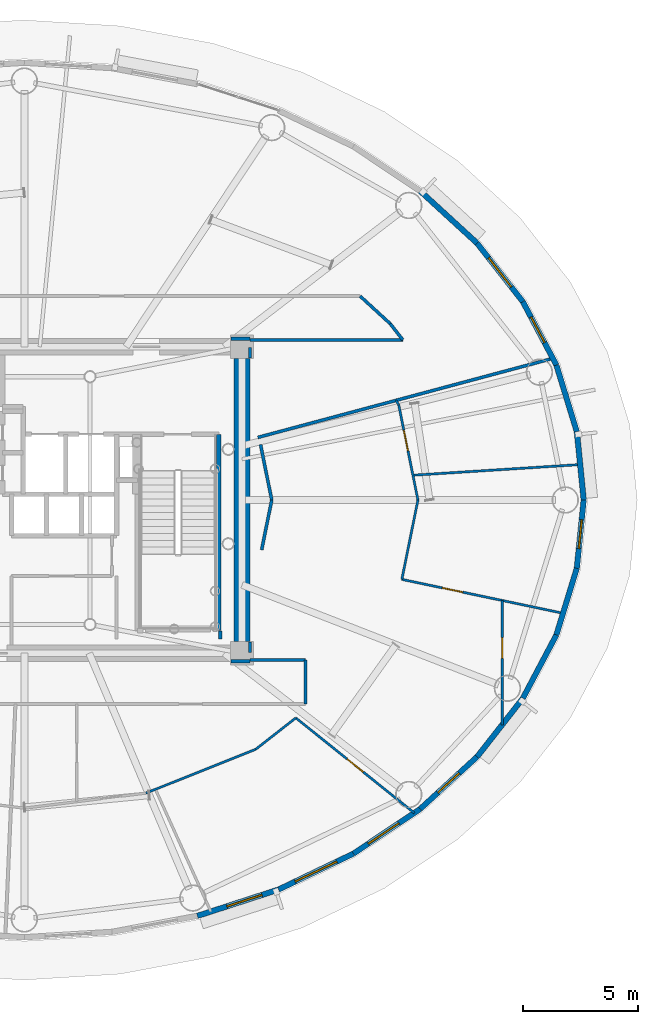
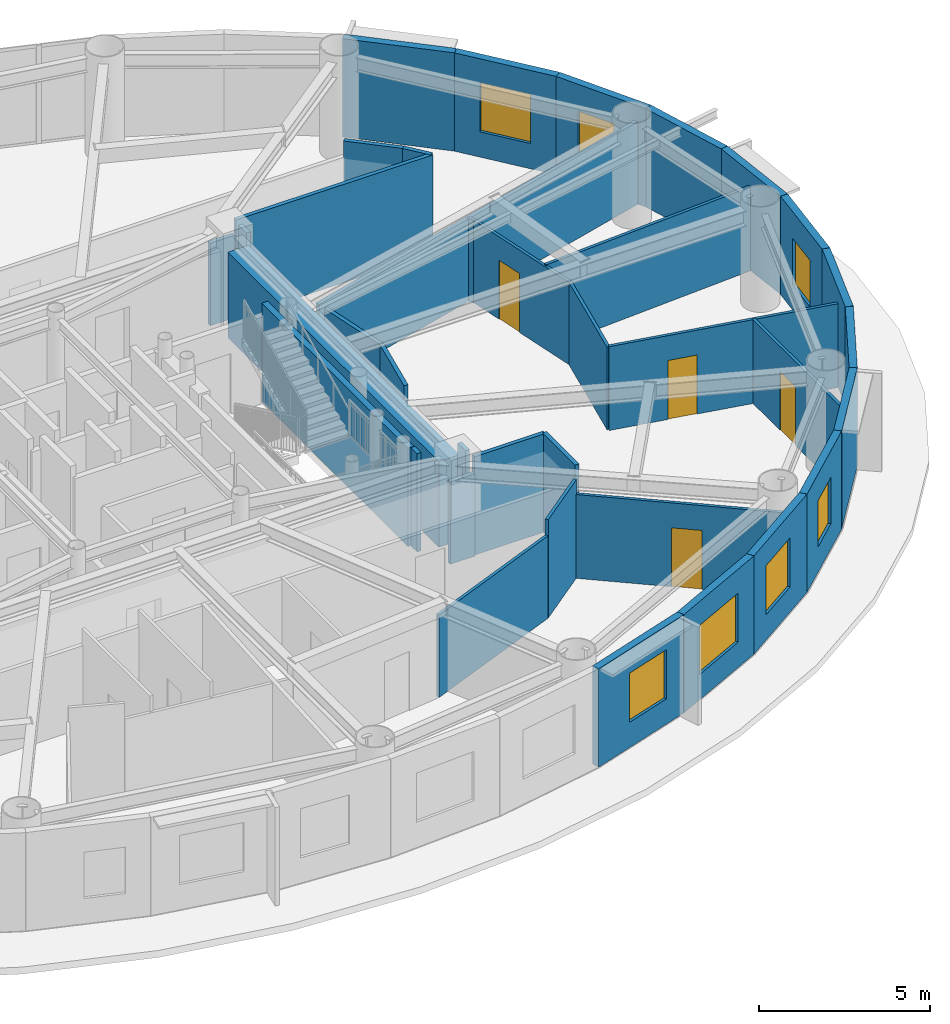
# One storey, part 12 of 19: 37 walls, 7 windows, 4 doors, 11 openings.
"""IFC4 building model written with IfcOpenShell, lengths in metres."""

from ifc_helpers import new_model, si_unit, direction, frame, frame_2d, origin, origin_2d, place, context, subcontext, project, spatial, rectangle, extrude, source, transform, mapped, material, layer, layer_set, type_object, element, fill, save


model = new_model("IFC4")

# Units and contexts
model_context = context("Model", 3, precision=1e-05, world=origin(), true_north=direction((0.0, 1.0)))
body_context = subcontext(model_context, "Body", "Model", "MODEL_VIEW")
ifc_project = project(units=[si_unit("LENGTHUNIT", "METRE"), si_unit("AREAUNIT", "SQUARE_METRE"), si_unit("VOLUMEUNIT", "CUBIC_METRE"), si_unit("PLANEANGLEUNIT", "RADIAN"), si_unit("MASSUNIT", "GRAM", prefix="KILO")], contexts=[model_context])

# Site, building, storey
site_placement = place(None, origin())
site = spatial("IfcSite", under=ifc_project, at=site_placement, CompositionType="ELEMENT")
building_placement = place(site_placement, origin())
building = spatial("IfcBuilding", under=site, at=building_placement, Name="Linh Dai School and Residence Tower", CompositionType="ELEMENT")
storey_placement = place(building_placement, frame((0.0, 0.0, 210.300048828125)))
storey = spatial("IfcBuildingStorey", under=building, at=storey_placement, Name="L51", CompositionType="ELEMENT", Elevation=210.300048828125)

# Walls
ifc_material_1 = material(Name="Precast Concrete B45 (C35/45)", Category="concrete")
ifc_layer_1 = layer(ifc_material_1, 0.239990234375)
ifc_layer_set_1 = layer_set([ifc_layer_1], Name="Precast Concrete B45 (C35/45)")
wall_type_1 = type_object("IfcWallType", Name="EW-TC-240", PredefinedType="SOLIDWALL", material=ifc_layer_set_1)
wall_1_placement = place(storey_placement, frame((59.97705078125, 29.9638671875, 0.0), z_axis=(0.0, 0.0, 1.0), x_axis=(0.099990595253, -0.994988382274, 0.0)))
element("IfcWall", 1, at=wall_1_placement, inside=storey, type_object=wall_type_1, Name="L51 Terracotta Exterior Wall 01", PredefinedType="SOLIDWALL", context=body_context, shape_type="SweptSolid", body=[
    extrude(rectangle(XDim=2.978759765625, YDim=0.239990234375, at=frame_2d((1.4892578125, 0.0))), origin(), (0.0, 0.0, 1.0), 3.5),
])
wall_2_placement = place(storey_placement, frame((59.09033203125, 32.85595703125, 0.0), z_axis=(0.0, 0.0, 1.0), x_axis=(0.293132907334, -0.95607170162, 0.0)))
element("IfcWall", 2, at=wall_2_placement, inside=storey, type_object=wall_type_1, Name="L51 Terracotta Exterior Wall 02", PredefinedType="SOLIDWALL", context=body_context, shape_type="SweptSolid", body=[
    extrude(rectangle(XDim=3.02490234375, YDim=0.239990234375, at=frame_2d((1.512451171875, 0.0))), origin(), (0.0, 0.0, 1.0), 3.5),
])

# Wall, opening, window
wall_3_placement = place(storey_placement, frame((57.6357421875, 35.605224609375, 0.0), z_axis=(0.0, 0.0, 1.0), x_axis=(0.46766049993, -0.883908172157, 0.0)))
wall_3 = element("IfcWall", 3, at=wall_3_placement, inside=storey, type_object=wall_type_1, Name="L51 Terracotta Exterior Wall 03", PredefinedType="SOLIDWALL", context=body_context, shape_type="SweptSolid", body=[
    extrude(rectangle(XDim=3.1103515625, YDim=0.239990234375, at=frame_2d((1.55517578125, 0.0))), origin(), (0.0, 0.0, 1.0), 3.5),
])
opening_1_placement = place(wall_3_placement, frame((0.757568359375, 0.0, 0.89990234375)))
opening_1 = element("IfcOpeningElement", 4, at=opening_1_placement, cuts=wall_3, Name="Opening W3", PredefinedType="OPENING", context=body_context, shape_type="SweptSolid", body=[
    extrude(rectangle(XDim=1.25, YDim=1.64990234375, at=origin_2d()), frame((0.625, 0.1298828125, 0.824951171875), z_axis=(0.0, -1.0, 0.0), x_axis=(1.0, 0.0, 0.0)), (0.0, 0.0, 1.0), 0.260009765625),
])
ifc_material_2 = material(Name="Double Low-E Insulated Glazing", Category="glass")
window_type_1 = type_object("IfcWindowType", Name="WN-RES-1250x1650", PartitioningType="SINGLE_PANEL", PredefinedType="WINDOW", material=ifc_material_2)
shared_shape_1 = source(origin(), body_context, "Body", "SweptSolid", [
    extrude(rectangle(XDim=1.25, YDim=1.64990234375, at=origin_2d()), frame((0.625, 0.030029296875, 0.824951171875), z_axis=(0.0, -1.0, 0.0), x_axis=(1.0, 0.0, 0.0)), (0.0, 0.0, 1.0), 0.06005859375),
])
window_1_placement = place(opening_1_placement, origin())
window_1 = element("IfcWindow", 5, at=window_1_placement, inside=storey, type_object=window_type_1, Name="L51 Exterior Window 03.1", OverallHeight=1.64990234375, OverallWidth=1.25, PartitioningType="SINGLE_PANEL", PredefinedType="WINDOW", context=body_context, shape_type="MappedRepresentation", body=[
    mapped(shared_shape_1, transform((0.0, 0.0, 0.0), x_axis=(1.0, 0.0, 0.0), y_axis=(0.0, 1.0, 0.0), z_axis=(0.0, 0.0, 1.0), scale=1.0)),
])
fill(opening_1, window_1)

wall_4_placement = place(storey_placement, frame((55.6484375, 38.14453125, 0.0), z_axis=(0.0, 0.0, 1.0), x_axis=(0.616312344705, -0.787501805562, 0.0)))
wall_4 = element("IfcWall", 6, at=wall_4_placement, inside=storey, type_object=wall_type_1, Name="L51 Terracotta Exterior Wall 04", PredefinedType="SOLIDWALL", context=body_context, shape_type="SweptSolid", body=[
    extrude(rectangle(XDim=3.224609375, YDim=0.239990234375, at=frame_2d((1.6123046875, 0.0))), origin(), (0.0, 0.0, 1.0), 3.5),
])
opening_2_placement = place(wall_4_placement, frame((0.81201171875, 0.0, 0.89990234375)))
opening_2 = element("IfcOpeningElement", 7, at=opening_2_placement, cuts=wall_4, Name="Opening W2", PredefinedType="OPENING", context=body_context, shape_type="SweptSolid", body=[
    extrude(rectangle(XDim=1.60009765625, YDim=1.75, at=origin_2d()), frame((0.800048828125, 0.1298828125, 0.875), z_axis=(0.0, -1.0, 0.0), x_axis=(1.0, 0.0, 0.0)), (0.0, 0.0, 1.0), 0.260009765625),
])
window_type_2 = type_object("IfcWindowType", Name="WN-RES-1600x1750", PartitioningType="DOUBLE_PANEL_VERTICAL", PredefinedType="WINDOW", material=ifc_material_2)
shared_shape_2 = source(origin(), body_context, "Body", "SweptSolid", [
    extrude(rectangle(XDim=1.60009765625, YDim=1.75, at=origin_2d()), frame((0.800048828125, 0.030029296875, 0.875), z_axis=(0.0, -1.0, 0.0), x_axis=(1.0, 0.0, 0.0)), (0.0, 0.0, 1.0), 0.06005859375),
])
window_2_placement = place(opening_2_placement, origin())
window_2 = element("IfcWindow", 8, at=window_2_placement, inside=storey, type_object=window_type_2, Name="L51 Exterior Window 04.1", OverallHeight=1.75, OverallWidth=1.60009765625, PartitioningType="DOUBLE_PANEL_VERTICAL", PredefinedType="WINDOW", context=body_context, shape_type="MappedRepresentation", body=[
    mapped(shared_shape_2, transform((0.0, 0.0, 0.0), x_axis=(1.0, 0.0, 0.0), y_axis=(0.0, 1.0, 0.0), z_axis=(0.0, 0.0, 1.0), scale=1.0)),
])
fill(opening_2, window_2)

# Wall
wall_5_placement = place(storey_placement, frame((53.17626953125, 40.410888671875, 0.0), z_axis=(0.0, 0.0, 1.0), x_axis=(0.737123922599, -0.675757591694, 0.0)))
element("IfcWall", 9, at=wall_5_placement, inside=storey, type_object=wall_type_1, Name="L51 Terracotta Exterior Wall 05", PredefinedType="SOLIDWALL", context=body_context, shape_type="SweptSolid", body=[
    extrude(rectangle(XDim=3.353759765625, YDim=0.239990234375, at=frame_2d((1.6767578125, 0.0))), origin(), (0.0, 0.0, 1.0), 3.5),
])

# Wall, opening, window
wall_6_placement = place(storey_placement, frame((47.031005859375, 10.093505859375, 0.0), z_axis=(0.0, 0.0, 1.0), x_axis=(-0.951210789182, -0.308541787354, 0.0)))
wall_6 = element("IfcWall", 10, at=wall_6_placement, inside=storey, type_object=wall_type_1, Name="L51 Terracotta Exterior Wall 33", PredefinedType="SOLIDWALL", context=body_context, shape_type="SweptSolid", body=[
    extrude(rectangle(XDim=3.702392578125, YDim=0.239990234375, at=frame_2d((1.85107421875, 0.0))), origin(), (0.0, 0.0, 1.0), 3.5),
])
opening_3_placement = place(wall_6_placement, frame((0.756103515625, 0.0, 0.89990234375)))
opening_3 = element("IfcOpeningElement", 11, at=opening_3_placement, cuts=wall_6, Name="Opening W2", PredefinedType="OPENING", context=body_context, shape_type="SweptSolid", body=[
    extrude(rectangle(XDim=1.60009765625, YDim=1.75, at=origin_2d()), frame((0.800048828125, 0.1298828125, 0.875), z_axis=(0.0, -1.0, 0.0), x_axis=(1.0, 0.0, 0.0)), (0.0, 0.0, 1.0), 0.260009765625),
])
window_3_placement = place(opening_3_placement, origin())
window_3 = element("IfcWindow", 12, at=window_3_placement, inside=storey, type_object=window_type_2, Name="L51 Exterior Window 33.1", OverallHeight=1.75, OverallWidth=1.60009765625, PartitioningType="DOUBLE_PANEL_VERTICAL", PredefinedType="WINDOW", context=body_context, shape_type="MappedRepresentation", body=[
    mapped(shared_shape_2, transform((0.0, 0.0, 0.0), x_axis=(1.0, 0.0, 0.0), y_axis=(0.0, 1.0, 0.0), z_axis=(0.0, 0.0, 1.0), scale=1.0)),
])
fill(opening_3, window_3)

wall_7_placement = place(storey_placement, frame((50.280029296875, 11.65234375, 0.0), z_axis=(0.0, 0.0, 1.0), x_axis=(-0.901598104751, -0.432574684313, 0.0)))
wall_7 = element("IfcWall", 13, at=wall_7_placement, inside=storey, type_object=wall_type_1, Name="L51 Terracotta Exterior Wall 34", PredefinedType="SOLIDWALL", context=body_context, shape_type="SweptSolid", body=[
    extrude(rectangle(XDim=3.603515625, YDim=0.239990234375, at=frame_2d((1.8017578125, 0.0))), origin(), (0.0, 0.0, 1.0), 3.5),
])
opening_4_placement = place(wall_7_placement, frame((0.802001953125, 0.0, 0.89990234375)))
opening_4 = element("IfcOpeningElement", 14, at=opening_4_placement, cuts=wall_7, Name="Opening W1", PredefinedType="OPENING", context=body_context, shape_type="SweptSolid", body=[
    extrude(rectangle(XDim=2.0, YDim=1.75, at=origin_2d()), frame((1.0, 0.1298828125, 0.875), z_axis=(0.0, -1.0, 0.0), x_axis=(1.0, 0.0, 0.0)), (0.0, 0.0, 1.0), 0.260009765625),
])
window_type_3 = type_object("IfcWindowType", Name="WN-RES-2000x1750", PartitioningType="DOUBLE_PANEL_VERTICAL", PredefinedType="WINDOW", material=ifc_material_2)
shared_shape_3 = source(origin(), body_context, "Body", "SweptSolid", [
    extrude(rectangle(XDim=2.0, YDim=1.75, at=origin_2d()), frame((1.0, 0.030029296875, 0.875), z_axis=(0.0, -1.0, 0.0), x_axis=(1.0, 0.0, 0.0)), (0.0, 0.0, 1.0), 0.06005859375),
])
window_4_placement = place(opening_4_placement, origin())
window_4 = element("IfcWindow", 15, at=window_4_placement, inside=storey, type_object=window_type_3, Name="L51 Exterior Window 34.1", OverallHeight=1.75, OverallWidth=2.0, PartitioningType="DOUBLE_PANEL_VERTICAL", PredefinedType="WINDOW", context=body_context, shape_type="MappedRepresentation", body=[
    mapped(shared_shape_3, transform((0.0, 0.0, 0.0), x_axis=(1.0, 0.0, 0.0), y_axis=(0.0, 1.0, 0.0), z_axis=(0.0, 0.0, 1.0), scale=1.0)),
])
fill(opening_4, window_4)

wall_8_placement = place(storey_placement, frame((53.17626953125, 13.589111328125, 0.0), z_axis=(0.0, 0.0, 1.0), x_axis=(-0.831262496074, -0.555880079352, 0.0)))
wall_8 = element("IfcWall", 16, at=wall_8_placement, inside=storey, type_object=wall_type_1, Name="L51 Terracotta Exterior Wall 35", PredefinedType="SOLIDWALL", context=body_context, shape_type="SweptSolid", body=[
    extrude(rectangle(XDim=3.484130859375, YDim=0.239990234375, at=frame_2d((1.7421875, 0.0))), origin(), (0.0, 0.0, 1.0), 3.5),
])
opening_5_placement = place(wall_8_placement, frame((1.1103515625, 0.0, 0.89990234375)))
opening_5 = element("IfcOpeningElement", 17, at=opening_5_placement, cuts=wall_8, Name="Opening W2", PredefinedType="OPENING", context=body_context, shape_type="SweptSolid", body=[
    extrude(rectangle(XDim=1.60009765625, YDim=1.75, at=origin_2d()), frame((0.800048828125, 0.1298828125, 0.875), z_axis=(0.0, -1.0, 0.0), x_axis=(1.0, 0.0, 0.0)), (0.0, 0.0, 1.0), 0.260009765625),
])
window_5_placement = place(opening_5_placement, origin())
window_5 = element("IfcWindow", 18, at=window_5_placement, inside=storey, type_object=window_type_2, Name="L51 Exterior Window 35.1", OverallHeight=1.75, OverallWidth=1.60009765625, PartitioningType="DOUBLE_PANEL_VERTICAL", PredefinedType="WINDOW", context=body_context, shape_type="MappedRepresentation", body=[
    mapped(shared_shape_2, transform((0.0, 0.0, 0.0), x_axis=(1.0, 0.0, 0.0), y_axis=(0.0, 1.0, 0.0), z_axis=(0.0, 0.0, 1.0), scale=1.0)),
])
fill(opening_5, window_5)

wall_9_placement = place(storey_placement, frame((55.6484375, 15.85546875, 0.0), z_axis=(0.0, 0.0, 1.0), x_axis=(-0.737123922599, -0.675757591694, 0.0)))
wall_9 = element("IfcWall", 19, at=wall_9_placement, inside=storey, type_object=wall_type_1, Name="L51 Terracotta Exterior Wall 36", PredefinedType="SOLIDWALL", context=body_context, shape_type="SweptSolid", body=[
    extrude(rectangle(XDim=3.353759765625, YDim=0.239990234375, at=frame_2d((1.6767578125, 0.0))), origin(), (0.0, 0.0, 1.0), 3.5),
])
opening_6_placement = place(wall_9_placement, frame((1.0517578125, 0.0, 0.89990234375)))
opening_6 = element("IfcOpeningElement", 20, at=opening_6_placement, cuts=wall_9, Name="Opening W3", PredefinedType="OPENING", context=body_context, shape_type="SweptSolid", body=[
    extrude(rectangle(XDim=1.25, YDim=1.64990234375, at=origin_2d()), frame((0.625, 0.1298828125, 0.824951171875), z_axis=(0.0, -1.0, 0.0), x_axis=(1.0, 0.0, 0.0)), (0.0, 0.0, 1.0), 0.260009765625),
])
window_6_placement = place(opening_6_placement, origin())
window_6 = element("IfcWindow", 21, at=window_6_placement, inside=storey, type_object=window_type_1, Name="L51 Dwelling Window U5102-LIV", OverallHeight=1.64990234375, OverallWidth=1.25, PartitioningType="SINGLE_PANEL", PredefinedType="WINDOW", context=body_context, shape_type="MappedRepresentation", body=[
    mapped(shared_shape_1, transform((0.0, 0.0, 0.0), x_axis=(1.0, 0.0, 0.0), y_axis=(0.0, 1.0, 0.0), z_axis=(0.0, 0.0, 1.0), scale=1.0)),
])
fill(opening_6, window_6)

# Walls
wall_10_placement = place(storey_placement, frame((57.6357421875, 18.394775390625, 0.0), z_axis=(0.0, 0.0, 1.0), x_axis=(-0.616312344705, -0.787501805562, 0.0)))
element("IfcWall", 22, at=wall_10_placement, inside=storey, type_object=wall_type_1, Name="L51 Terracotta Exterior Wall 37", PredefinedType="SOLIDWALL", context=body_context, shape_type="SweptSolid", body=[
    extrude(rectangle(XDim=3.224609375, YDim=0.239990234375, at=frame_2d((1.6123046875, 0.0))), origin(), (0.0, 0.0, 1.0), 3.5),
])
wall_11_placement = place(storey_placement, frame((59.09033203125, 21.14404296875, 0.0), z_axis=(0.0, 0.0, 1.0), x_axis=(-0.46766049993, -0.883908172157, 0.0)))
element("IfcWall", 23, at=wall_11_placement, inside=storey, type_object=wall_type_1, Name="L51 Terracotta Exterior Wall 38", PredefinedType="SOLIDWALL", context=body_context, shape_type="SweptSolid", body=[
    extrude(rectangle(XDim=3.1103515625, YDim=0.239990234375, at=frame_2d((1.55517578125, 0.0))), origin(), (0.0, 0.0, 1.0), 3.5),
])
wall_12_placement = place(storey_placement, frame((59.97705078125, 24.0361328125, 0.0), z_axis=(0.0, 0.0, 1.0), x_axis=(-0.293132907334, -0.95607170162, 0.0)))
element("IfcWall", 24, at=wall_12_placement, inside=storey, type_object=wall_type_1, Name="L51 Terracotta Exterior Wall 39", PredefinedType="SOLIDWALL", context=body_context, shape_type="SweptSolid", body=[
    extrude(rectangle(XDim=3.02490234375, YDim=0.239990234375, at=frame_2d((1.512451171875, 0.0))), origin(), (0.0, 0.0, 1.0), 3.5),
])

# Wall, opening, window
wall_13_placement = place(storey_placement, frame((60.27490234375, 27.0, 0.0), z_axis=(0.0, 0.0, 1.0), x_axis=(-0.099990595253, -0.994988382274, 0.0)))
wall_13 = element("IfcWall", 25, at=wall_13_placement, inside=storey, type_object=wall_type_1, Name="L51 Terracotta Exterior Wall 40", PredefinedType="SOLIDWALL", context=body_context, shape_type="SweptSolid", body=[
    extrude(rectangle(XDim=2.978759765625, YDim=0.239990234375, at=frame_2d((1.4892578125, 0.0))), origin(), (0.0, 0.0, 1.0), 3.5),
])
opening_7_placement = place(wall_13_placement, frame((0.864501953125, 0.0, 0.89990234375)))
opening_7 = element("IfcOpeningElement", 26, at=opening_7_placement, cuts=wall_13, Name="Opening W3", PredefinedType="OPENING", context=body_context, shape_type="SweptSolid", body=[
    extrude(rectangle(XDim=1.25, YDim=1.64990234375, at=origin_2d()), frame((0.625, 0.1298828125, 0.824951171875), z_axis=(0.0, -1.0, 0.0), x_axis=(1.0, 0.0, 0.0)), (0.0, 0.0, 1.0), 0.260009765625),
])
window_7_placement = place(opening_7_placement, origin())
window_7 = element("IfcWindow", 27, at=window_7_placement, inside=storey, type_object=window_type_1, Name="L51 Dwelling Window U5102-BD3", OverallHeight=1.64990234375, OverallWidth=1.25, PartitioningType="SINGLE_PANEL", PredefinedType="WINDOW", context=body_context, shape_type="MappedRepresentation", body=[
    mapped(shared_shape_1, transform((0.0, 0.0, 0.0), x_axis=(1.0, 0.0, 0.0), y_axis=(0.0, 1.0, 0.0), z_axis=(0.0, 0.0, 1.0), scale=1.0)),
])
fill(opening_7, window_7)

# Walls
ifc_material_3 = material(Name="Autoclaved Aerated Concrete Blockwork", Category="masonry")
ifc_layer_2 = layer(ifc_material_3, 0.135009765625)
ifc_layer_set_2 = layer_set([ifc_layer_2], Name="Autoclaved Aerated Concrete Blockwork")
wall_type_2 = type_object("IfcWallType", Name="IW-CORR-135-EI90", PredefinedType="PARTITIONING", material=ifc_layer_set_2)
wall_14_placement = place(storey_placement, frame((45.800048828125, 20.050048828125, 0.0), z_axis=(0.0, 0.0, 1.0), x_axis=(1.0, 0.0, 0.0)))
element("IfcWall", 28, at=wall_14_placement, inside=storey, type_object=wall_type_2, Name="L51 Interior Partition Wall 064", PredefinedType="PARTITIONING", context=body_context, shape_type="SweptSolid", body=[
    extrude(rectangle(XDim=2.39990234375, YDim=0.135009765625, at=frame_2d((1.199951171875, 0.0))), origin(), (0.0, 0.0, 1.0), 3.5),
])
wall_15_placement = place(storey_placement, frame((45.800048828125, 33.949951171875, 0.0), z_axis=(0.0, 0.0, 1.0), x_axis=(1.0, 0.0, 0.0)))
element("IfcWall", 29, at=wall_15_placement, inside=storey, type_object=wall_type_2, Name="L51 Interior Partition Wall 065", PredefinedType="PARTITIONING", context=body_context, shape_type="SweptSolid", body=[
    extrude(rectangle(XDim=6.623779296875, YDim=0.135009765625, at=frame_2d((3.31201171875, 0.0))), origin(), (0.0, 0.0, 1.0), 3.5),
])
wall_16_placement = place(storey_placement, frame((46.134033203125, 29.71533203125, 0.0), z_axis=(0.0, 0.0, 1.0), x_axis=(0.965925285814, 0.258821062174, 0.0)))
element("IfcWall", 30, at=wall_16_placement, inside=storey, type_object=wall_type_2, Name="L51 Interior Partition Wall 067", PredefinedType="PARTITIONING", context=body_context, shape_type="SweptSolid", body=[
    extrude(rectangle(XDim=13.259765625, YDim=0.135009765625, at=frame_2d((6.6298828125, 0.0))), origin(), (0.0, 0.0, 1.0), 2.93505859375),
])
wall_17_placement = place(storey_placement, frame((48.199951171875, 18.14990234375, 0.0), z_axis=(0.0, 0.0, 1.0), x_axis=(0.0, 1.0, 0.0)))
element("IfcWall", 31, at=wall_17_placement, inside=storey, type_object=wall_type_2, Name="L51 Interior Partition Wall 069", PredefinedType="PARTITIONING", context=body_context, shape_type="SweptSolid", body=[
    extrude(rectangle(XDim=1.900146484375, YDim=0.135009765625, at=frame_2d((0.9501953125, 0.0))), origin(), (0.0, 0.0, 1.0), 3.5),
])
wall_18_placement = place(storey_placement, frame((50.56787109375, 35.85009765625, 0.0), z_axis=(0.0, 0.0, 1.0), x_axis=(0.737102657331, -0.675780787353, 0.0)))
element("IfcWall", 32, at=wall_18_placement, inside=storey, type_object=wall_type_2, Name="L51 Interior Partition Wall 070", PredefinedType="PARTITIONING", context=body_context, shape_type="SweptSolid", body=[
    extrude(rectangle(XDim=1.771728515625, YDim=0.135009765625, at=frame_2d((0.8857421875, 0.0))), origin(), (0.0, 0.0, 1.0), 3.5),
])
wall_19_placement = place(storey_placement, frame((51.873779296875, 34.65283203125, 0.0), z_axis=(0.0, 0.0, 1.0), x_axis=(0.61628613448, -0.787522317429, 0.0)))
element("IfcWall", 33, at=wall_19_placement, inside=storey, type_object=wall_type_2, Name="L51 Interior Partition Wall 071", PredefinedType="PARTITIONING", context=body_context, shape_type="SweptSolid", body=[
    extrude(rectangle(XDim=0.892578125, YDim=0.135009765625, at=frame_2d((0.4462890625, 0.0))), origin(), (0.0, 0.0, 1.0), 3.5),
])
wall_20_placement = place(storey_placement, frame((44.5, 20.9599609375, 0.0), z_axis=(0.0, 0.0, 1.0), x_axis=(0.0, 1.0, 0.0)))
element("IfcWall", 34, at=wall_20_placement, inside=storey, type_object=wall_type_2, Name="L51 Interior Partition Wall 082", PredefinedType="PARTITIONING", context=body_context, shape_type="SweptSolid", body=[
    extrude(rectangle(XDim=0.360107421875, YDim=0.135009765625, at=frame_2d((0.18017578125, 0.0))), origin(), (0.0, 0.0, 1.0), 3.5),
])
for number, where, z_axis, x_axis, name in (
    (35, (45.7900390625, 34.0, 0.0), (0.0, 0.0, 1.0), (-1.0, 0.0, 0.0), "L51 Interior Partition Wall 084"),
    (36, (44.9599609375, 20.0, 0.0), (0.0, 0.0, 1.0), (1.0, 0.0, 0.0), "L51 Interior Partition Wall 089"),
):
    element("IfcWall", number, at=place(storey_placement, frame(where, z_axis=z_axis, x_axis=x_axis)), inside=storey, type_object=wall_type_2, Name=name, PredefinedType="PARTITIONING", context=body_context, shape_type="SweptSolid", body=[
        extrude(rectangle(XDim=0.830078125, YDim=0.135009765625, at=frame_2d((0.4150390625, 0.0))), origin(), (0.0, 0.0, 1.0), 2.93505859375),
    ])
for number, where, z_axis, x_axis, name in (
    (37, (45.800048828125, 33.159912109375, 0.0), (0.0, 0.0, 1.0), (0.0, 1.0, 0.0), "L51 Interior Partition Wall 090"),
    (38, (45.800048828125, 20.37744140625, 0.0), (0.0, 0.0, 1.0), (0.0, 1.0, 0.0), "L51 Interior Partition Wall 091"),
):
    element("IfcWall", number, at=place(storey_placement, frame(where, z_axis=z_axis, x_axis=x_axis)), inside=storey, type_object=wall_type_2, Name=name, PredefinedType="PARTITIONING", context=body_context, shape_type="SweptSolid", body=[
        extrude(rectangle(XDim=0.462646484375, YDim=0.135009765625, at=frame_2d((0.2314453125, 0.0))), origin(), (0.0, 0.0, 1.0), 3.5),
    ])
wall_21_placement = place(storey_placement, frame((46.2978515625, 24.83447265625, 0.0), z_axis=(0.0, 0.0, 1.0), x_axis=(0.198346870351, 0.980131888585, 0.0)))
element("IfcWall", 39, at=wall_21_placement, inside=storey, type_object=wall_type_2, Name="L51 Interior Partition Wall 092", PredefinedType="PARTITIONING", context=body_context, shape_type="SweptSolid", body=[
    extrude(rectangle(XDim=2.20947265625, YDim=0.135009765625, at=frame_2d((1.104736328125, 0.0))), origin(), (0.0, 0.0, 1.0), 2.93505859375),
])
wall_22_placement = place(storey_placement, frame((46.736083984375, 27.0, 0.0), z_axis=(0.0, 0.0, 1.0), x_axis=(-0.198314033819, 0.980138533061, 0.0)))
element("IfcWall", 40, at=wall_22_placement, inside=storey, type_object=wall_type_2, Name="L51 Interior Partition Wall 093", PredefinedType="PARTITIONING", context=body_context, shape_type="SweptSolid", body=[
    extrude(rectangle(XDim=2.4560546875, YDim=0.135009765625, at=frame_2d((1.22802734375, 0.0))), origin(), (0.0, 0.0, 1.0), 2.93505859375),
])
ifc_material_4 = material(Name="Concrete B45 (C35/45)", Category="concrete")
ifc_layer_3 = layer(ifc_material_4, 0.199951171875)
ifc_layer_set_3 = layer_set([ifc_layer_3], Name="Concrete B45 (C35/45)")
wall_type_3 = type_object("IfcWallType", Name="IW-SHAFT-200-EI120", PredefinedType="PARTITIONING", material=ifc_layer_set_3)
wall_23_placement = place(storey_placement, frame((44.43994140625, 21.330078125, 0.0), z_axis=(0.0, 0.0, 1.0), x_axis=(0.0, 1.0, 0.0)))
element("IfcWall", 41, at=wall_23_placement, inside=storey, type_object=wall_type_3, Name="L51 Interior Partition Wall 063", PredefinedType="PARTITIONING", context=body_context, shape_type="SweptSolid", body=[
    extrude(rectangle(XDim=8.52001953125, YDim=0.199951171875, at=frame_2d((4.260009765625, 0.0))), origin(), (0.0, 0.0, 1.0), 3.5),
])
ifc_material_5 = material(Name="Gypsum Plasterboard Acoustic Stud Partition", Category="masonry")
ifc_layer_4 = layer(ifc_material_5, 0.10009765625)
ifc_layer_set_4 = layer_set([ifc_layer_4], Name="Gypsum Plasterboard Acoustic Stud Partition")
wall_type_4 = type_object("IfcWallType", Name="IW-UNIT-100", PredefinedType="PARTITIONING", material=ifc_layer_set_4)
wall_24_placement = place(storey_placement, frame((41.278076171875, 14.281005859375, 0.0), z_axis=(0.0, 0.0, 1.0), x_axis=(0.928801505367, 0.370577608105, 0.0)))
element("IfcWall", 42, at=wall_24_placement, inside=storey, type_object=wall_type_4, Name="L51 Interior Partition Wall 061", PredefinedType="PARTITIONING", context=body_context, shape_type="SweptSolid", body=[
    extrude(rectangle(XDim=5.126220703125, YDim=0.10009765625, at=frame_2d((2.56298828125, 0.0))), origin(), (0.0, 0.0, 1.0), 2.93505859375),
])
wall_25_placement = place(storey_placement, frame((46.039306640625, 16.1806640625, 0.0), z_axis=(0.0, 0.0, 1.0), x_axis=(0.787393208494, 0.61645108096, 0.0)))
element("IfcWall", 43, at=wall_25_placement, inside=storey, type_object=wall_type_4, Name="L51 Interior Partition Wall 066", PredefinedType="PARTITIONING", context=body_context, shape_type="SweptSolid", body=[
    extrude(rectangle(XDim=2.21240234375, YDim=0.10009765625, at=frame_2d((1.106201171875, 0.0))), origin(), (0.0, 0.0, 1.0), 3.5),
])

# Wall, opening, door
wall_26_placement = place(storey_placement, frame((47.78125, 17.54443359375, 0.0), z_axis=(0.0, 0.0, 1.0), x_axis=(0.77988571152, -0.625921941592, 0.0)))
wall_26 = element("IfcWall", 44, at=wall_26_placement, inside=storey, type_object=wall_type_4, Name="L51 Interior Partition Wall 068", PredefinedType="PARTITIONING", context=body_context, shape_type="SweptSolid", body=[
    extrude(rectangle(XDim=6.596435546875, YDim=0.10009765625, at=frame_2d((3.29833984375, 0.0))), origin(), (0.0, 0.0, 1.0), 2.98486328125),
])
opening_8_placement = place(wall_26_placement, frame((2.848388671875, 0.0, 0.0)))
opening_8 = element("IfcOpeningElement", 45, at=opening_8_placement, cuts=wall_26, Name="Opening D05", PredefinedType="OPENING", context=body_context, shape_type="SweptSolid", body=[
    extrude(rectangle(XDim=0.89990234375, YDim=2.10009765625, at=origin_2d()), frame((0.449951171875, 0.06005859375, 1.050048828125), z_axis=(0.0, -1.0, 0.0), x_axis=(1.0, 0.0, 0.0)), (0.0, 0.0, 1.0), 0.1201171875),
])
ifc_material_6 = material(Name="Engineered Timber Internal Door", Category="wood")
door_type = type_object("IfcDoorType", Name="DR-INT-900x2100", OperationType="NOTDEFINED", PredefinedType="DOOR", material=ifc_material_6)
shared_shape_4 = source(origin(), body_context, "Body", "SweptSolid", [
    extrude(rectangle(XDim=0.89990234375, YDim=2.10009765625, at=origin_2d()), frame((0.449951171875, 0.02490234375, 1.050048828125), z_axis=(0.0, -1.0, 0.0), x_axis=(1.0, 0.0, 0.0)), (0.0, 0.0, 1.0), 0.050048828125),
])
door_1_placement = place(opening_8_placement, origin())
door_1 = element("IfcDoor", 46, at=door_1_placement, inside=storey, type_object=door_type, Name="L51 Apartment U5102 Principal Bedroom 2 Door", OperationType="SINGLE_SWING_LEFT", OverallHeight=2.10009765625, OverallWidth=0.89990234375, PredefinedType="DOOR", context=body_context, shape_type="MappedRepresentation", body=[
    mapped(shared_shape_4, transform((0.0, 0.0, 0.0), x_axis=(1.0, 0.0, 0.0), y_axis=(0.0, 1.0, 0.0), z_axis=(0.0, 0.0, 1.0), scale=1.0)),
])
fill(opening_8, door_1)

# Wall
wall_27_placement = place(storey_placement, frame((52.1220703125, 31.31982421875, 0.0), z_axis=(0.0, 0.0, 1.0), x_axis=(0.546101187154, -0.837719221094, 0.0)))
element("IfcWall", 47, at=wall_27_placement, inside=storey, type_object=wall_type_4, Name="L51 Interior Partition Wall 072", PredefinedType="PARTITIONING", context=body_context, shape_type="SweptSolid", body=[
    extrude(rectangle(XDim=0.2236328125, YDim=0.10009765625, at=frame_2d((0.11181640625, 0.0))), origin(), (0.0, 0.0, 1.0), 2.93505859375),
])

# Wall, opening, door
wall_28_placement = place(storey_placement, frame((52.244140625, 31.132568359375, 0.0), z_axis=(0.0, 0.0, 1.0), x_axis=(0.198253557863, -0.980150767379, 0.0)))
wall_28 = element("IfcWall", 48, at=wall_28_placement, inside=storey, type_object=wall_type_4, Name="L51 Interior Partition Wall 073", PredefinedType="PARTITIONING", context=body_context, shape_type="SweptSolid", body=[
    extrude(rectangle(XDim=4.216552734375, YDim=0.10009765625, at=frame_2d((2.1083984375, 0.0))), origin(), (0.0, 0.0, 1.0), 2.93505859375),
])
opening_9_placement = place(wall_28_placement, frame((1.1298828125, 0.0, 0.0)))
opening_9 = element("IfcOpeningElement", 49, at=opening_9_placement, cuts=wall_28, Name="Opening D05", PredefinedType="OPENING", context=body_context, shape_type="SweptSolid", body=[
    extrude(rectangle(XDim=0.89990234375, YDim=2.10009765625, at=origin_2d()), frame((0.449951171875, 0.06005859375, 1.050048828125), z_axis=(0.0, -1.0, 0.0), x_axis=(1.0, 0.0, 0.0)), (0.0, 0.0, 1.0), 0.1201171875),
])
door_2_placement = place(opening_9_placement, origin())
door_2 = element("IfcDoor", 50, at=door_2_placement, inside=storey, type_object=door_type, Name="L51 Apartment U5102 Study Door", OperationType="SINGLE_SWING_LEFT", OverallHeight=2.10009765625, OverallWidth=0.89990234375, PredefinedType="DOOR", context=body_context, shape_type="MappedRepresentation", body=[
    mapped(shared_shape_4, transform((0.0, 0.0, 0.0), x_axis=(1.0, 0.0, 0.0), y_axis=(0.0, 1.0, 0.0), z_axis=(0.0, 0.0, 1.0), scale=1.0)),
])
fill(opening_9, door_2)

# Wall
wall_29_placement = place(storey_placement, frame((52.383056640625, 23.554931640625, 0.0), z_axis=(0.0, 0.0, 1.0), x_axis=(0.198306285023, 0.980140100863, 0.0)))
element("IfcWall", 51, at=wall_29_placement, inside=storey, type_object=wall_type_4, Name="L51 Interior Partition Wall 074", PredefinedType="PARTITIONING", context=body_context, shape_type="SweptSolid", body=[
    extrude(rectangle(XDim=3.514892578125, YDim=0.10009765625, at=frame_2d((1.75732421875, 0.0))), origin(), (0.0, 0.0, 1.0), 2.93505859375),
])

# Wall, opening, door
wall_30_placement = place(storey_placement, frame((52.383056640625, 23.554931640625, 0.0), z_axis=(0.0, 0.0, 1.0), x_axis=(0.978602258678, -0.205761073362, 0.0)))
wall_30 = element("IfcWall", 52, at=wall_30_placement, inside=storey, type_object=wall_type_4, Name="L51 Interior Partition Wall 075", PredefinedType="PARTITIONING", context=body_context, shape_type="SweptSolid", body=[
    extrude(rectangle(XDim=7.153564453125, YDim=0.10009765625, at=frame_2d((3.57666015625, 0.0))), origin(), (0.0, 0.0, 1.0), 2.98486328125),
])
opening_10_placement = place(wall_30_placement, frame((1.795654296875, 0.0, 0.0)))
opening_10 = element("IfcOpeningElement", 53, at=opening_10_placement, cuts=wall_30, Name="Opening D05", PredefinedType="OPENING", context=body_context, shape_type="SweptSolid", body=[
    extrude(rectangle(XDim=0.89990234375, YDim=2.10009765625, at=origin_2d()), frame((0.449951171875, 0.06005859375, 1.050048828125), z_axis=(0.0, -1.0, 0.0), x_axis=(1.0, 0.0, 0.0)), (0.0, 0.0, 1.0), 0.1201171875),
])
door_3_placement = place(opening_10_placement, origin())
door_3 = element("IfcDoor", 54, at=door_3_placement, inside=storey, type_object=door_type, Name="L51 Apartment U5102 Principal Bedroom 3 Door", OperationType="SINGLE_SWING_RIGHT", OverallHeight=2.10009765625, OverallWidth=0.89990234375, PredefinedType="DOOR", context=body_context, shape_type="MappedRepresentation", body=[
    mapped(shared_shape_4, transform((0.0, 0.0, 0.0), x_axis=(1.0, 0.0, 0.0), y_axis=(0.0, 1.0, 0.0), z_axis=(0.0, 0.0, 1.0), scale=1.0)),
])
fill(opening_10, door_3)

# Wall
wall_31_placement = place(storey_placement, frame((52.862548828125, 28.07470703125, 0.0), z_axis=(0.0, 0.0, 1.0), x_axis=(0.99797520374, 0.063604187915, 0.0)))
element("IfcWall", 55, at=wall_31_placement, inside=storey, type_object=wall_type_4, Name="L51 Interior Partition Wall 076", PredefinedType="PARTITIONING", context=body_context, shape_type="SweptSolid", body=[
    extrude(rectangle(XDim=7.277587890625, YDim=0.10009765625, at=frame_2d((3.638671875, 0.0))), origin(), (0.0, 0.0, 1.0), 2.98486328125),
])

# Wall, opening, door
wall_32_placement = place(storey_placement, frame((56.739013671875, 17.240966796875, 0.0), z_axis=(0.0, 0.0, 1.0), x_axis=(0.0, 1.0, 0.0)))
wall_32 = element("IfcWall", 56, at=wall_32_placement, inside=storey, type_object=wall_type_4, Name="L51 Interior Partition Wall 077", PredefinedType="PARTITIONING", context=body_context, shape_type="SweptSolid", body=[
    extrude(rectangle(XDim=5.398193359375, YDim=0.10009765625, at=frame_2d((2.69921875, 0.0))), origin(), (0.0, 0.0, 1.0), 2.98486328125),
])
opening_11_placement = place(wall_32_placement, frame((2.8876953125, 0.0, 0.0)))
opening_11 = element("IfcOpeningElement", 57, at=opening_11_placement, cuts=wall_32, Name="Opening D05", PredefinedType="OPENING", context=body_context, shape_type="SweptSolid", body=[
    extrude(rectangle(XDim=0.89990234375, YDim=2.10009765625, at=origin_2d()), frame((0.449951171875, 0.06005859375, 1.050048828125), z_axis=(0.0, -1.0, 0.0), x_axis=(1.0, 0.0, 0.0)), (0.0, 0.0, 1.0), 0.1201171875),
])
door_4_placement = place(opening_11_placement, origin())
door_4 = element("IfcDoor", 58, at=door_4_placement, inside=storey, type_object=door_type, Name="L51 Apartment U5102 Kitchen Door", OperationType="SINGLE_SWING_LEFT", OverallHeight=2.10009765625, OverallWidth=0.89990234375, PredefinedType="DOOR", context=body_context, shape_type="MappedRepresentation", body=[
    mapped(shared_shape_4, transform((0.0, 0.0, 0.0), x_axis=(1.0, 0.0, 0.0), y_axis=(0.0, 1.0, 0.0), z_axis=(0.0, 0.0, 1.0), scale=1.0)),
])
fill(opening_11, door_4)

# Wall
ifc_layer_5 = layer(ifc_material_4, 0.699951171875)
ifc_layer_set_5 = layer_set([ifc_layer_5], Name="Concrete B45 (C35/45)")
wall_type_5 = type_object("IfcWallType", Name="WL-CORE700", PredefinedType="SHEAR", material=ifc_layer_set_5)
wall_33_placement = place(storey_placement, frame((45.449951171875, 33.14990234375, 0.0), z_axis=(0.0, 0.0, 1.0), x_axis=(0.0, -1.0, 0.0)))
element("IfcWall", 59, at=wall_33_placement, inside=storey, type_object=wall_type_5, Name="L51 Central Core Shear Wall E", PredefinedType="SHEAR", context=body_context, shape_type="SweptSolid", body=[
    extrude(rectangle(XDim=12.2998046875, YDim=0.699951171875, at=frame_2d((6.14990234375, 0.0))), origin(), (0.0, 0.0, 1.0), 3.050048828125),
])

save(model, "model.ifc")
